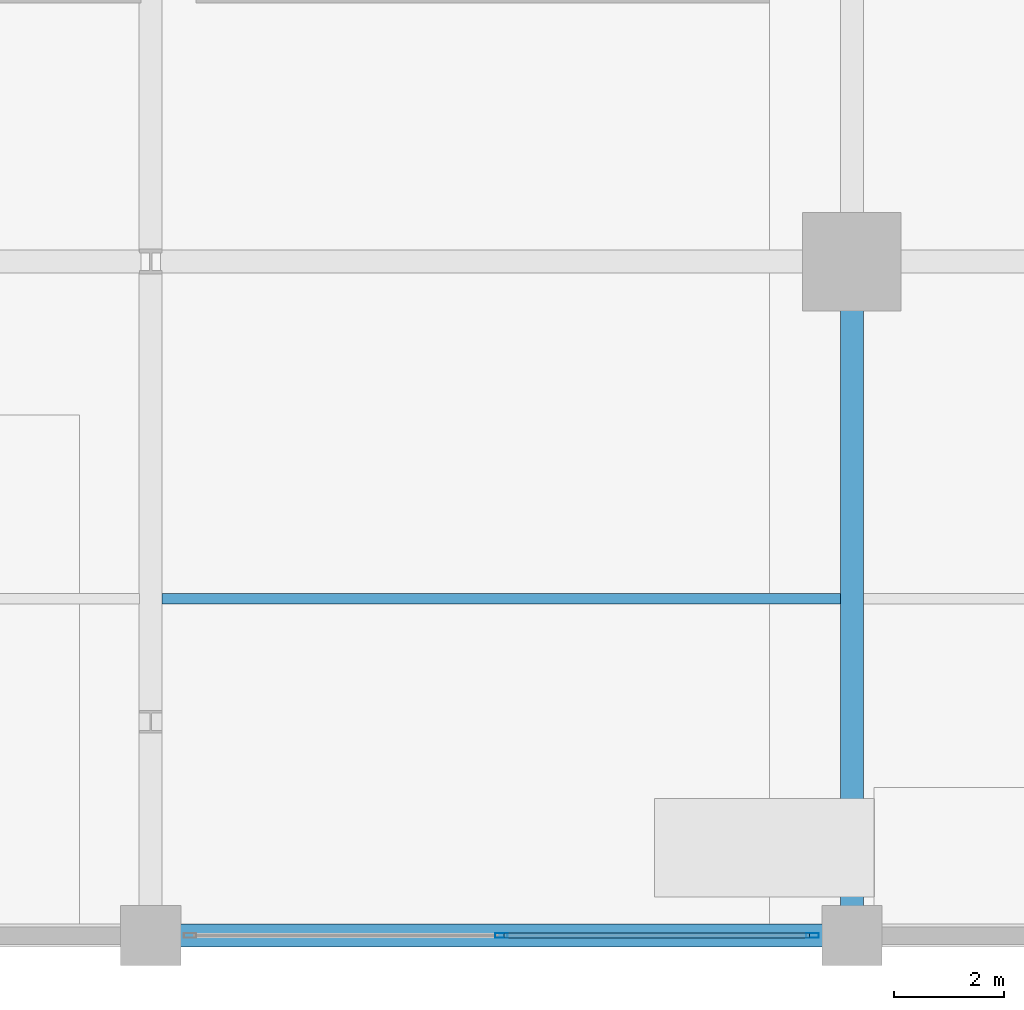
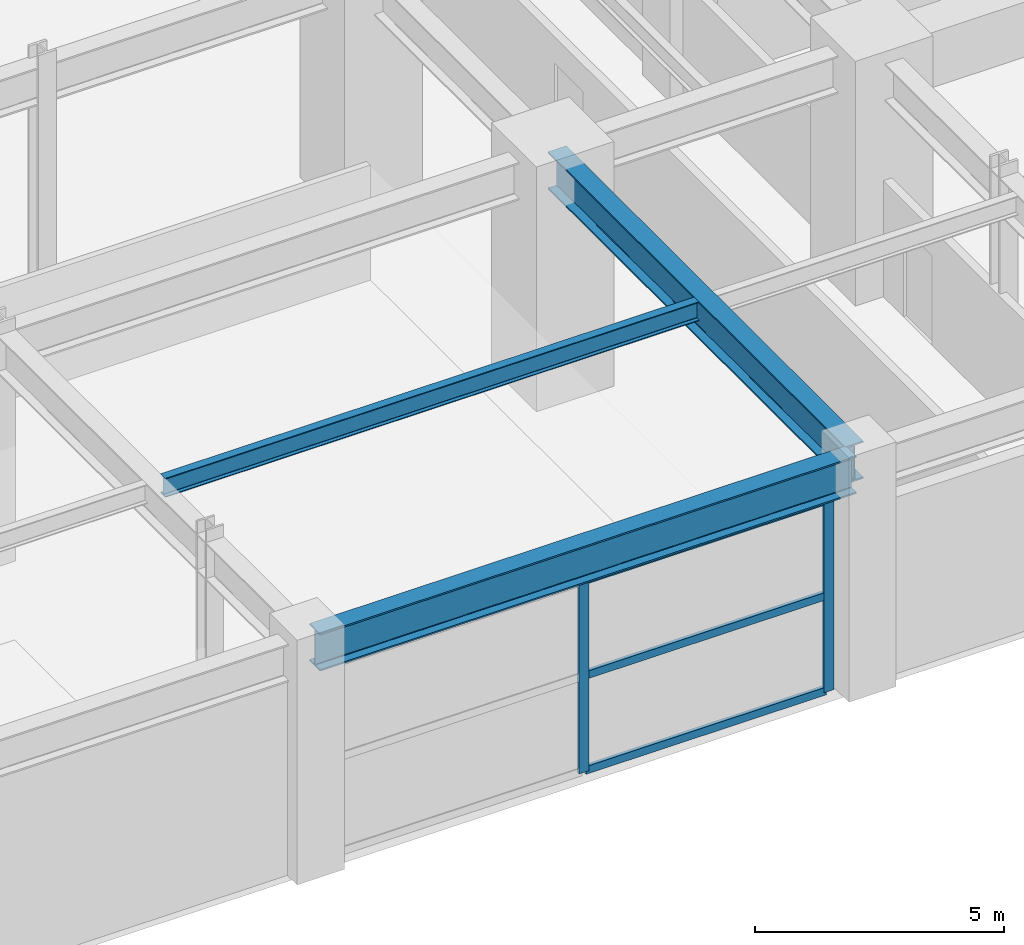
# One storey, part 7 of 41: 5 members, 3 beams, 1 element without a shape of its own.
"""IFC4 building model written with IfcOpenShell, lengths in metres."""

from ifc_helpers import new_model, si_unit, direction, frame, origin, origin_2d, place, context, subcontext, project, spatial, hollow_rectangle, i_section, extrude, material, material_profile, profile_set, type_object, element, aggregate, save


model = new_model("IFC4")

# Units and contexts
model_context = context("Model", 3, precision=1e-05, world=origin(), true_north=direction((0.0, 1.0)))
body_context = subcontext(model_context, "Body", "Model", "MODEL_VIEW")
ifc_project = project(units=[si_unit("LENGTHUNIT", "METRE"), si_unit("AREAUNIT", "SQUARE_METRE"), si_unit("VOLUMEUNIT", "CUBIC_METRE"), si_unit("PLANEANGLEUNIT", "RADIAN"), si_unit("MASSUNIT", "GRAM", prefix="KILO")], contexts=[model_context])

# Site, building, storey
site_placement = place(None, origin())
site = spatial("IfcSite", under=ifc_project, at=site_placement, CompositionType="ELEMENT")
building_placement = place(site_placement, origin())
building = spatial("IfcBuilding", under=site, at=building_placement, Name="Kovane Verandah Tower", CompositionType="ELEMENT")
storey_placement = place(building_placement, origin())
storey = spatial("IfcBuildingStorey", under=building, at=storey_placement, Name="L00", CompositionType="ELEMENT", Elevation=0.0)

# Beams
ifc_material_1 = material(Name="Steel S460", Category="steel")
ifc_material_profile_1 = material_profile(ifc_material_1, i_section(OverallWidth=0.42041015625, OverallDepth=0.9208984375, WebThickness=0.021484375, FlangeThickness=0.03662109375, FilletRadius=0.024169921875, at=origin_2d()), Name="UB914x419x388")
ifc_profile_set_1 = profile_set([ifc_material_profile_1], Name="Steel S460")
beam_type_1 = type_object("IfcBeamType", Name="BM-UB914x388", PredefinedType="BEAM", material=ifc_profile_set_1)
beam_1_placement = place(storey_placement, frame((8.97998046875, -1.5, 5.239501953125), z_axis=(1.0, 0.0, 0.0), x_axis=(0.0, 1.0, 0.0)))
element("IfcBeam", 1, at=beam_1_placement, inside=storey, type_object=beam_type_1, Name="L00 Podium Grid Girder X02", PredefinedType="BEAM", context=body_context, shape_type="SweptSolid", body=[
    extrude(i_section(OverallWidth=0.42041015625, OverallDepth=0.9208984375, WebThickness=0.021484375, FlangeThickness=0.03662109375, FilletRadius=0.024169921875, at=origin_2d()), origin(), (0.0, 0.0, 1.0), 12.43994140625),
])
beam_2_placement = place(storey_placement, frame((21.60009765625, -1.320068359375, 5.239501953125), z_axis=(0.0, 1.0, 0.0), x_axis=(-1.0, 0.0, 0.0)))
element("IfcBeam", 2, at=beam_2_placement, inside=storey, type_object=beam_type_1, Name="L00 Podium Grid Girder Y41", PredefinedType="BEAM", context=body_context, shape_type="SweptSolid", body=[
    extrude(i_section(OverallWidth=0.42041015625, OverallDepth=0.9208984375, WebThickness=0.021484375, FlangeThickness=0.03662109375, FilletRadius=0.024169921875, at=origin_2d()), origin(), (0.0, 0.0, 1.0), 11.940185546875),
])

# Curtain wall, members
ifc_material_2 = material(Name="Champagne Anodised Aluminium Frame with Low-E Clear Laminated Glass", Category="aluminium")
curtain_wall_type = type_object("IfcCurtainWallType", Name="CW-SYS-01-POD", PredefinedType="NOTDEFINED", material=ifc_material_2)
curtain_wall_placement = place(storey_placement, origin())
curtain_wall = element("IfcCurtainWall", 3, at=curtain_wall_placement, inside=storey, type_object=curtain_wall_type, Name="Ground South Shopfront Curtain Wall Bay 2", PredefinedType="NOTDEFINED")
ifc_material_3 = material(Name="Champagne Anodised Aluminium 6063-T6", Category="aluminium")
ifc_material_profile_2 = material_profile(ifc_material_3, hollow_rectangle(XDim=0.0849609375, YDim=0.22998046875, WallThickness=0.00390625, at=origin_2d()), Name="AL85x230x4")
ifc_profile_set_2 = profile_set([ifc_material_profile_2], Name="Champagne Anodised Aluminium 6063-T6")
member_type_1 = type_object("IfcMemberType", Name="CW-MUL-85x230", PredefinedType="MULLION", material=ifc_profile_set_2)
member_1_placement = place(storey_placement, frame((15.199951171875, -1.5, 0.02001953125), z_axis=(0.0, 0.0, 1.0), x_axis=(0.0, -1.0, 0.0)))
member_1 = element("IfcMember", 4, at=member_1_placement, type_object=member_type_1, Name="Ground South Shopfront Curtain Wall Bay 2 Mullion 2", PredefinedType="MULLION", context=body_context, shape_type="SweptSolid", body=[
    extrude(hollow_rectangle(XDim=0.0849609375, YDim=0.22998046875, WallThickness=0.00390625, at=origin_2d()), origin(), (0.0, 0.0, 1.0), 4.718994140625),
])
member_2_placement = place(storey_placement, frame((20.8798828125, -1.5, 0.02001953125), z_axis=(0.0, 0.0, 1.0), x_axis=(0.0, -1.0, 0.0)))
member_2 = element("IfcMember", 5, at=member_2_placement, type_object=member_type_1, Name="Ground South Shopfront Curtain Wall Bay 2 Mullion 3", PredefinedType="MULLION", context=body_context, shape_type="SweptSolid", body=[
    extrude(hollow_rectangle(XDim=0.0849609375, YDim=0.22998046875, WallThickness=0.00390625, at=origin_2d()), origin(), (0.0, 0.0, 1.0), 4.718994140625),
])
ifc_material_profile_3 = material_profile(ifc_material_3, hollow_rectangle(XDim=0.0849609375, YDim=0.18994140625, WallThickness=0.00390625, at=origin_2d()), Name="AL85x190x4")
ifc_profile_set_3 = profile_set([ifc_material_profile_3], Name="Champagne Anodised Aluminium 6063-T6")
member_type_2 = type_object("IfcMemberType", Name="CW-TRN-85x190", PredefinedType="USERDEFINED", material=ifc_profile_set_3)
member_3_placement = place(storey_placement, frame((15.25, -1.5, 0.050048828125), z_axis=(1.0, 0.0, 0.0), x_axis=(0.0, 1.0, 0.0)))
member_3 = element("IfcMember", 6, at=member_3_placement, type_object=member_type_2, Name="Ground South Shopfront Curtain Wall Bay 2 Transom TB Bay 2", ObjectType="TRANSOM", PredefinedType="USERDEFINED", context=body_context, shape_type="SweptSolid", body=[
    extrude(hollow_rectangle(XDim=0.0849609375, YDim=0.18994140625, WallThickness=0.00390625, at=origin_2d()), origin(), (0.0, 0.0, 1.0), 5.580078125),
])
member_4_placement = place(storey_placement, frame((15.25, -1.5, 2.37939453125), z_axis=(1.0, 0.0, 0.0), x_axis=(0.0, 1.0, 0.0)))
member_4 = element("IfcMember", 7, at=member_4_placement, type_object=member_type_2, Name="Ground South Shopfront Curtain Wall Bay 2 Transom TM Bay 2", ObjectType="TRANSOM", PredefinedType="USERDEFINED", context=body_context, shape_type="SweptSolid", body=[
    extrude(hollow_rectangle(XDim=0.0849609375, YDim=0.18994140625, WallThickness=0.00390625, at=origin_2d()), origin(), (0.0, 0.0, 1.0), 5.580078125),
])
member_5_placement = place(storey_placement, frame((15.25, -1.5, 4.708984375), z_axis=(1.0, 0.0, 0.0), x_axis=(0.0, 1.0, 0.0)))
member_5 = element("IfcMember", 8, at=member_5_placement, type_object=member_type_2, Name="Ground South Shopfront Curtain Wall Bay 2 Transom TT Bay 2", ObjectType="TRANSOM", PredefinedType="USERDEFINED", context=body_context, shape_type="SweptSolid", body=[
    extrude(hollow_rectangle(XDim=0.0849609375, YDim=0.18994140625, WallThickness=0.00390625, at=origin_2d()), origin(), (0.0, 0.0, 1.0), 5.580078125),
])
aggregate(curtain_wall, [member_1, member_2, member_3, member_4, member_5])

# Beam
ifc_material_4 = material(Name="Steel S355", Category="steel")
ifc_material_profile_4 = material_profile(ifc_material_4, i_section(OverallWidth=0.19287109375, OverallDepth=0.46728515625, WebThickness=0.011474609375, FlangeThickness=0.01953125, FilletRadius=0.01025390625, at=origin_2d()), Name="UB457x191x98")
ifc_profile_set_4 = profile_set([ifc_material_profile_4], Name="Steel S355")
beam_type_2 = type_object("IfcBeamType", Name="JST-UB457x98", PredefinedType="JOIST", material=ifc_profile_set_4)
beam_3_placement = place(storey_placement, frame((9.00830078125, 4.64990234375, 5.46630859375), z_axis=(1.0, 0.0, 0.0), x_axis=(0.0, 1.0, 0.0)))
element("IfcBeam", 9, at=beam_3_placement, inside=storey, type_object=beam_type_2, Name="L00 Podium Secondary Joist 02", PredefinedType="JOIST", context=body_context, shape_type="SweptSolid", body=[
    extrude(i_section(OverallWidth=0.19287109375, OverallDepth=0.46728515625, WebThickness=0.011474609375, FlangeThickness=0.01953125, FilletRadius=0.01025390625, at=origin_2d()), origin(), (0.0, 0.0, 1.0), 12.383544921875),
])

save(model, "model.ifc")
